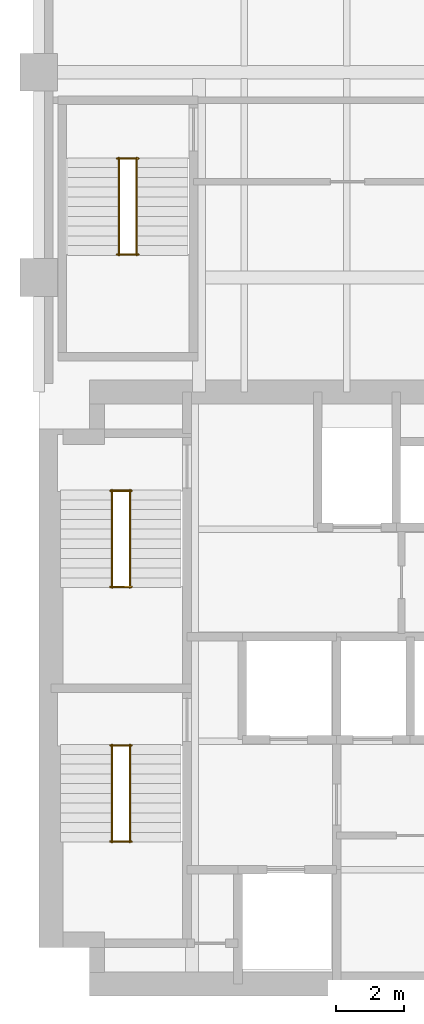
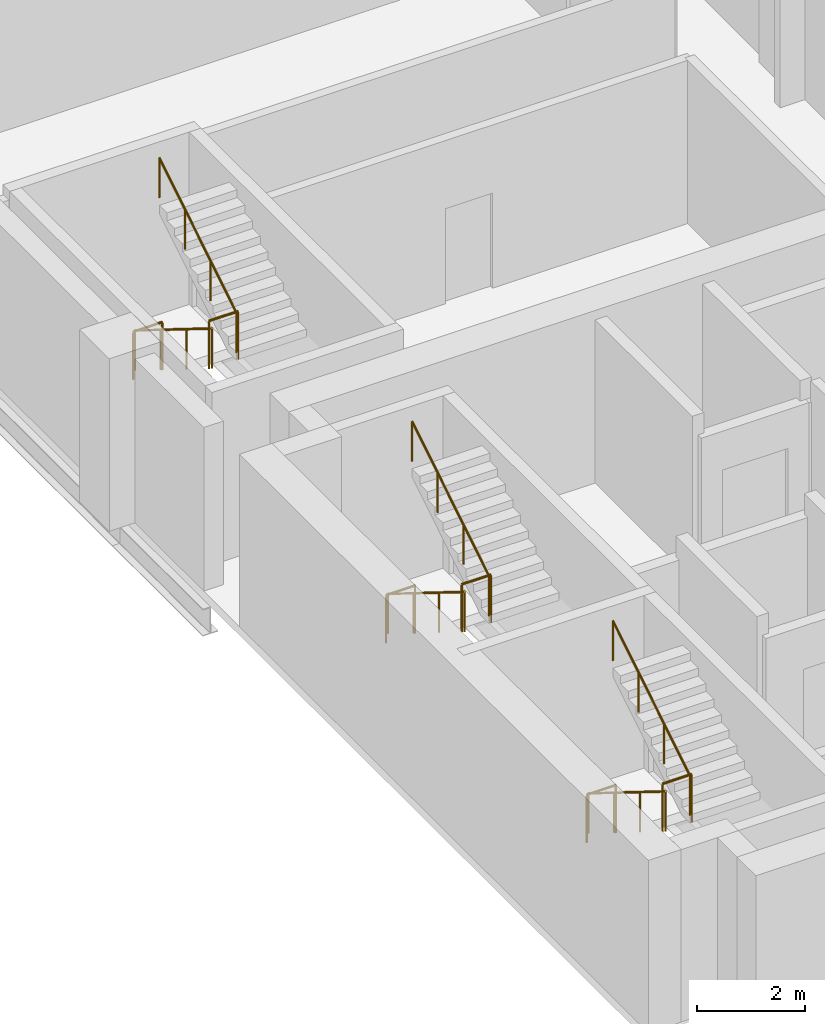
# One storey, part 7 of 7: 12 railings.
"""IFC4 building model written with IfcOpenShell, lengths in metres."""

from ifc_helpers import new_model, si_unit, direction, frame, origin, origin_2d, place, context, subcontext, project, spatial, circle, extrude, material, type_object, element, save


model = new_model("IFC4")

# Units and contexts
model_context = context("Model", 3, precision=1e-05, world=origin(), true_north=direction((0.0, 1.0)))
body_context = subcontext(model_context, "Body", "Model", "MODEL_VIEW")
ifc_project = project(units=[si_unit("LENGTHUNIT", "METRE"), si_unit("AREAUNIT", "SQUARE_METRE"), si_unit("VOLUMEUNIT", "CUBIC_METRE"), si_unit("PLANEANGLEUNIT", "RADIAN"), si_unit("MASSUNIT", "GRAM", prefix="KILO")], contexts=[model_context])

# Site, building, storey
site_placement = place(None, origin())
site = spatial("IfcSite", under=ifc_project, at=site_placement, CompositionType="ELEMENT")
building_placement = place(site_placement, origin())
building = spatial("IfcBuilding", under=site, at=building_placement, Name="Mawjdan Bourse Tower", CompositionType="ELEMENT")
storey_placement = place(building_placement, frame((0.0, 0.0, 108.89990234375)))
storey = spatial("IfcBuildingStorey", under=building, at=storey_placement, Name="L25", CompositionType="ELEMENT", Elevation=108.89990234375)

# Railings
ifc_material_1 = material(Name="Structural Steel S355", Category="steel")
railing_type_1 = type_object("IfcRailingType", Name="RLG-GRD-1100", PredefinedType="GUARDRAIL", material=ifc_material_1)
for number, where, name in (
    (1, (8.090087890625, 7.52001953125, 1.9501953125), "L25 ST1 Landing Guardrail GL-MID"),
    (2, (8.090087890625, 10.330078125, 0.0), "L25 ST1 Landing Guardrail GL-BOT"),
    (3, (8.090087890625, 14.9599609375, 1.9501953125), "L25 ST2 Landing Guardrail GL-MID"),
    (4, (8.090087890625, 17.77001953125, 0.0), "L25 ST2 Landing Guardrail GL-BOT"),
    (5, (8.2900390625, 24.669921875, 1.9501953125), "L25 ST3 Landing Guardrail GL-MID"),
    (6, (8.2900390625, 27.47998046875, 0.0), "L25 ST3 Landing Guardrail GL-BOT"),
):
    element("IfcRailing", number, at=place(storey_placement, frame(where)), inside=storey, type_object=railing_type_1, Name=name, PredefinedType="GUARDRAIL", context=body_context, shape_type="SweptSolid", body=[
        extrude(circle(Radius=0.02490234375, at=origin_2d()), frame((0.0, 0.0, 1.0751953125), z_axis=(1.0, 0.0, 0.0), x_axis=(0.0, 1.0, 0.0)), (0.0, 0.0, 1.0), 0.619873046875),
        extrude(circle(Radius=0.02099609375, at=origin_2d()), origin(), (0.0, 0.0, 1.0), 1.050048828125),
        extrude(circle(Radius=0.02099609375, at=origin_2d()), frame((0.619873046875, 0.0, 0.0)), (0.0, 0.0, 1.0), 1.050048828125),
    ])
ifc_material_2 = material(Name="Brushed Stainless Steel", Category="steel")
railing_type_2 = type_object("IfcRailingType", Name="RLG-HND-920", PredefinedType="HANDRAIL", material=ifc_material_2)
railing_1_placement = place(storey_placement, frame((8.139892578125, 10.35009765625, 0.177490234375)))
element("IfcRailing", 7, at=railing_1_placement, inside=storey, type_object=railing_type_2, Name="L25 ST1 Flight Handrail HR1", PredefinedType="HANDRAIL", context=body_context, shape_type="SweptSolid", body=[
    extrude(circle(Radius=0.0224609375, at=origin_2d()), frame((0.0, 0.0, 0.8974609375), z_axis=(0.0, -0.849148672731, 0.528153890072), x_axis=(1.0, 0.0, 0.0)), (0.0, 0.0, 1.0), 3.3564453125),
    extrude(circle(Radius=0.01904296875, at=origin_2d()), origin(), (0.0, 0.0, 1.0), 0.875),
    extrude(circle(Radius=0.01904296875, at=origin_2d()), frame((0.0, -0.949951171875, 0.5908203125)), (0.0, 0.0, 1.0), 0.875),
    extrude(circle(Radius=0.01904296875, at=origin_2d()), frame((0.0, -1.900146484375, 1.181884765625)), (0.0, 0.0, 1.0), 0.875),
    extrude(circle(Radius=0.01904296875, at=origin_2d()), frame((0.0, -2.85009765625, 1.772705078125)), (0.0, 0.0, 1.0), 0.875),
])
railing_2_placement = place(storey_placement, frame((8.659912109375, 7.5, 2.12744140625)))
element("IfcRailing", 8, at=railing_2_placement, inside=storey, type_object=railing_type_2, Name="L25 ST1 Flight Handrail HR2", PredefinedType="HANDRAIL", context=body_context, shape_type="SweptSolid", body=[
    extrude(circle(Radius=0.0224609375, at=origin_2d()), frame((0.0, 0.0, 0.8974609375), z_axis=(0.0, 0.849148672731, 0.528153890072), x_axis=(-1.0, 0.0, 0.0)), (0.0, 0.0, 1.0), 3.3564453125),
    extrude(circle(Radius=0.01904296875, at=origin_2d()), origin(), (0.0, 0.0, 1.0), 0.875),
    extrude(circle(Radius=0.01904296875, at=origin_2d()), frame((0.0, 0.949951171875, 0.5908203125)), (0.0, 0.0, 1.0), 0.875),
    extrude(circle(Radius=0.01904296875, at=origin_2d()), frame((0.0, 1.900146484375, 1.181884765625)), (0.0, 0.0, 1.0), 0.875),
    extrude(circle(Radius=0.01904296875, at=origin_2d()), frame((0.0, 2.85009765625, 1.772705078125)), (0.0, 0.0, 1.0), 0.875),
])
railing_3_placement = place(storey_placement, frame((8.139892578125, 17.7900390625, 0.177490234375)))
element("IfcRailing", 9, at=railing_3_placement, inside=storey, type_object=railing_type_2, Name="L25 ST2 Flight Handrail HR1", PredefinedType="HANDRAIL", context=body_context, shape_type="SweptSolid", body=[
    extrude(circle(Radius=0.0224609375, at=origin_2d()), frame((0.0, 0.0, 0.8974609375), z_axis=(0.0, -0.849148672731, 0.528153890072), x_axis=(1.0, 0.0, 0.0)), (0.0, 0.0, 1.0), 3.3564453125),
    extrude(circle(Radius=0.01904296875, at=origin_2d()), origin(), (0.0, 0.0, 1.0), 0.875),
    extrude(circle(Radius=0.01904296875, at=origin_2d()), frame((0.0, -0.949951171875, 0.5908203125)), (0.0, 0.0, 1.0), 0.875),
    extrude(circle(Radius=0.01904296875, at=origin_2d()), frame((0.0, -1.900146484375, 1.181884765625)), (0.0, 0.0, 1.0), 0.875),
    extrude(circle(Radius=0.01904296875, at=origin_2d()), frame((0.0, -2.85009765625, 1.772705078125)), (0.0, 0.0, 1.0), 0.875),
])
railing_4_placement = place(storey_placement, frame((8.659912109375, 14.93994140625, 2.12744140625)))
element("IfcRailing", 10, at=railing_4_placement, inside=storey, type_object=railing_type_2, Name="L25 ST2 Flight Handrail HR2", PredefinedType="HANDRAIL", context=body_context, shape_type="SweptSolid", body=[
    extrude(circle(Radius=0.0224609375, at=origin_2d()), frame((0.0, 0.0, 0.8974609375), z_axis=(0.0, 0.849148672731, 0.528153890072), x_axis=(-1.0, 0.0, 0.0)), (0.0, 0.0, 1.0), 3.3564453125),
    extrude(circle(Radius=0.01904296875, at=origin_2d()), origin(), (0.0, 0.0, 1.0), 0.875),
    extrude(circle(Radius=0.01904296875, at=origin_2d()), frame((0.0, 0.949951171875, 0.5908203125)), (0.0, 0.0, 1.0), 0.875),
    extrude(circle(Radius=0.01904296875, at=origin_2d()), frame((0.0, 1.900146484375, 1.181884765625)), (0.0, 0.0, 1.0), 0.875),
    extrude(circle(Radius=0.01904296875, at=origin_2d()), frame((0.0, 2.85009765625, 1.772705078125)), (0.0, 0.0, 1.0), 0.875),
])
railing_5_placement = place(storey_placement, frame((8.340087890625, 27.5, 0.177490234375)))
element("IfcRailing", 11, at=railing_5_placement, inside=storey, type_object=railing_type_2, Name="L25 ST3 Flight Handrail HR1", PredefinedType="HANDRAIL", context=body_context, shape_type="SweptSolid", body=[
    extrude(circle(Radius=0.0224609375, at=origin_2d()), frame((0.0, 0.0, 0.8974609375), z_axis=(0.0, -0.849148672731, 0.528153890072), x_axis=(1.0, 0.0, 0.0)), (0.0, 0.0, 1.0), 3.3564453125),
    extrude(circle(Radius=0.01904296875, at=origin_2d()), origin(), (0.0, 0.0, 1.0), 0.875),
    extrude(circle(Radius=0.01904296875, at=origin_2d()), frame((0.0, -0.949951171875, 0.5908203125)), (0.0, 0.0, 1.0), 0.875),
    extrude(circle(Radius=0.01904296875, at=origin_2d()), frame((0.0, -1.900146484375, 1.181884765625)), (0.0, 0.0, 1.0), 0.875),
    extrude(circle(Radius=0.01904296875, at=origin_2d()), frame((0.0, -2.85009765625, 1.772705078125)), (0.0, 0.0, 1.0), 0.875),
])
railing_6_placement = place(storey_placement, frame((8.860107421875, 24.64990234375, 2.12744140625)))
element("IfcRailing", 12, at=railing_6_placement, inside=storey, type_object=railing_type_2, Name="L25 ST3 Flight Handrail HR2", PredefinedType="HANDRAIL", context=body_context, shape_type="SweptSolid", body=[
    extrude(circle(Radius=0.0224609375, at=origin_2d()), frame((0.0, 0.0, 0.8974609375), z_axis=(0.0, 0.849148672731, 0.528153890072), x_axis=(-1.0, 0.0, 0.0)), (0.0, 0.0, 1.0), 3.3564453125),
    extrude(circle(Radius=0.01904296875, at=origin_2d()), origin(), (0.0, 0.0, 1.0), 0.875),
    extrude(circle(Radius=0.01904296875, at=origin_2d()), frame((0.0, 0.949951171875, 0.5908203125)), (0.0, 0.0, 1.0), 0.875),
    extrude(circle(Radius=0.01904296875, at=origin_2d()), frame((0.0, 1.900146484375, 1.181884765625)), (0.0, 0.0, 1.0), 0.875),
    extrude(circle(Radius=0.01904296875, at=origin_2d()), frame((0.0, 2.85009765625, 1.772705078125)), (0.0, 0.0, 1.0), 0.875),
])

save(model, "model.ifc")
